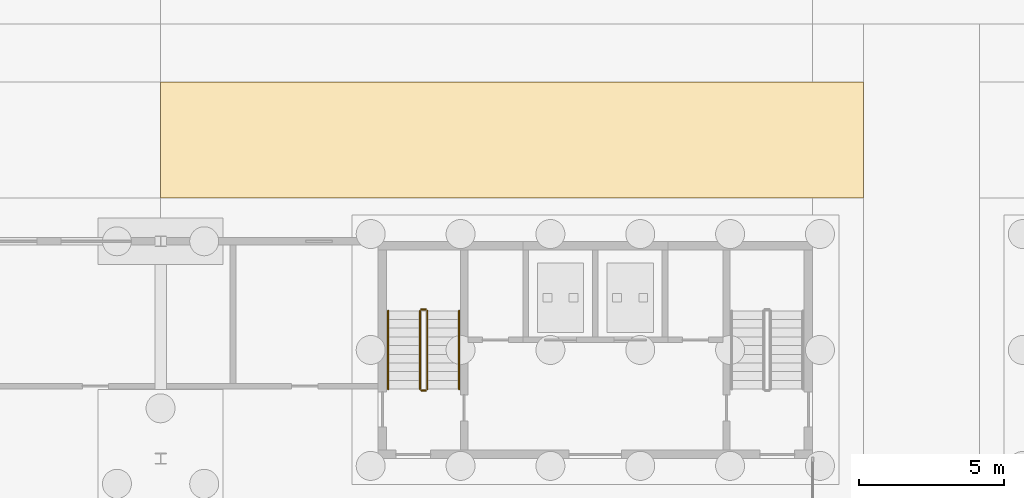
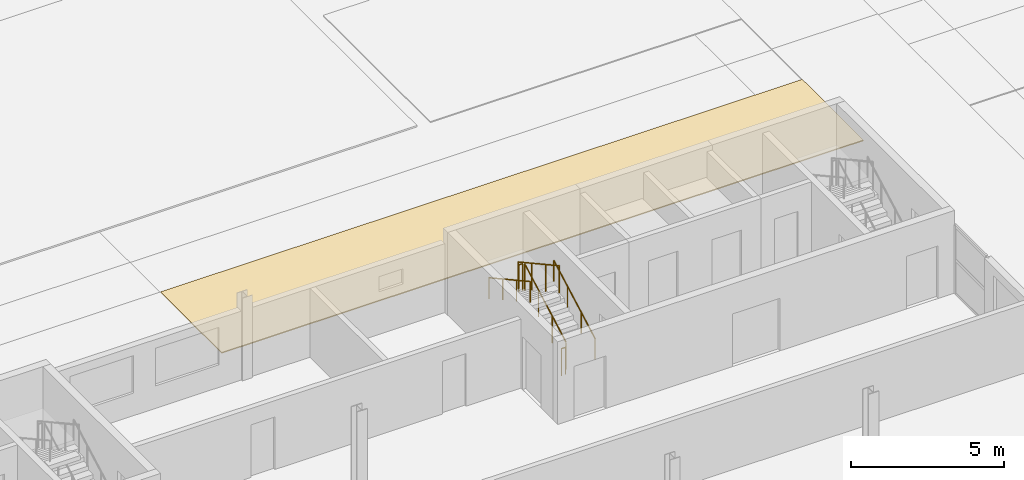
# One storey, part 110 of 130: 6 railings, 1 covering.
"""IFC4 building model written with IfcOpenShell, lengths in metres."""

import ifcopenshell
import ifcopenshell.guid

model = None  # the IFC model being written
_history = None  # IfcOwnerHistory: only IFC2X3 demands one
_inside = {}  # id of a spatial element -> (the spatial element, [elements in it])
_under = {}  # id of a project, library or spatial element -> (it, [spatial elements below it])
_declared = {}  # id of a project -> (the project, [libraries it declares])
_typed = {}  # id of a type object -> (the type object, [elements of that type])
_made_of = {}  # id of a material, layer set ... -> (it, [elements and type objects made of it])


def new_model(schema):
    """Start an empty IFC model of exactly this schema.

    Asked for "IFC4X3", IfcOpenShell would pick the latest addendum, in which some entities
    have other attributes; the version numbers below select the first issue.
    IFC2X3 requires an IfcOwnerHistory on every rooted entity: one is made here for all.
    """
    global model, _history
    if schema == "IFC4X3":
        model = ifcopenshell.file(schema_version=(4, 3, 0, 0))
    else:
        model = ifcopenshell.file(schema=schema)
    _inside.clear()
    _under.clear()
    _declared.clear()
    _typed.clear()
    _made_of.clear()
    _history = None
    if model.schema == "IFC2X3":
        org = make("IfcOrganization", Name="unknown")
        user = make(
            "IfcPersonAndOrganization",
            ThePerson=make("IfcPerson", FamilyName="unknown"),
            TheOrganization=org,
        )
        app = make(
            "IfcApplication",
            ApplicationDeveloper=org,
            Version="unknown",
            ApplicationFullName="unknown",
            ApplicationIdentifier="unknown",
        )
        _history = make(
            "IfcOwnerHistory",
            OwningUser=user,
            OwningApplication=app,
            ChangeAction="ADDED",
            CreationDate=0,
        )
    return model


def make(cls, **values):
    """One entity of the class cls with the attributes given. An attribute that is None is left unset."""
    return model.create_entity(
        cls, **{name: value for name, value in values.items() if value is not None}
    )


def rooted(cls, **values):
    """An entity with a GlobalId (a new one), such as an element, a storey or a relation."""
    return make(cls, GlobalId=ifcopenshell.guid.new(), OwnerHistory=_history, **values)


def si_unit(unit_type, name, prefix=None):
    """IfcSIUnit, for example si_unit("LENGTHUNIT", "METRE", prefix="MILLI")."""
    return make("IfcSIUnit", UnitType=unit_type, Prefix=prefix, Name=name)


def assignment(units):
    """IfcUnitAssignment: the units of a project."""
    return None if units is None else make("IfcUnitAssignment", Units=units)


def point(xyz):
    """IfcCartesianPoint."""
    return None if xyz is None else make("IfcCartesianPoint", Coordinates=xyz)


def direction(xyz):
    """IfcDirection."""
    return None if xyz is None else make("IfcDirection", DirectionRatios=xyz)


def frame(location, z_axis=None, x_axis=None):
    """IfcAxis2Placement3D, a coordinate frame: its origin and axes. An axis left out is left unset."""
    return make(
        "IfcAxis2Placement3D",
        Location=point(location),
        Axis=direction(z_axis),
        RefDirection=direction(x_axis),
    )


def frame_2d(location, x_axis=None):
    """IfcAxis2Placement2D, a coordinate frame in the plane: its origin and x axis."""
    return make(
        "IfcAxis2Placement2D", Location=point(location), RefDirection=direction(x_axis)
    )


def origin():
    """The frame at (0, 0, 0) with its axes left unset."""
    return frame((0.0, 0.0, 0.0))


def origin_2d():
    """The frame at (0, 0) in the plane with its x axis left unset."""
    return frame_2d((0.0, 0.0))


def place(relative_to, where):
    """IfcLocalPlacement: puts the frame where relative to a parent placement (None: the world)."""
    return make(
        "IfcLocalPlacement", PlacementRelTo=relative_to, RelativePlacement=where
    )


def context(
    kind, dimensions, precision=None, world=None, true_north=None, identifier=None
):
    """IfcGeometricRepresentationContext, for example the 3D "Model" context."""
    return make(
        "IfcGeometricRepresentationContext",
        ContextIdentifier=identifier,
        ContextType=kind,
        CoordinateSpaceDimension=dimensions,
        Precision=precision,
        WorldCoordinateSystem=world,
        TrueNorth=true_north,
    )


def subcontext(parent, identifier, kind, view, scale=None):
    """IfcGeometricRepresentationSubContext, for example "Body" below "Model"."""
    return make(
        "IfcGeometricRepresentationSubContext",
        ContextIdentifier=identifier,
        ContextType=kind,
        ParentContext=parent,
        TargetScale=scale,
        TargetView=view,
    )


def project(units=None, contexts=None):
    """IfcProject with its units and contexts."""
    return rooted(
        "IfcProject",
        Name="project",
        RepresentationContexts=contexts,
        UnitsInContext=assignment(units),
    )


def spatial(cls, under=None, at=None, **own):
    """A site, building, storey or space (cls), placed at a placement, below another one or the project."""
    s = rooted(cls, ObjectPlacement=at, **own)
    if under is not None:
        _under.setdefault(under.id(), (under, []))[1].append(s)
    return s


def polyline(points):
    """IfcPolyline through the points."""
    return make("IfcPolyline", Points=[point(p) for p in points])


def profile(cls, at=None, kind="AREA", **sizes):
    """A parametric profile (cls). Its sizes go by their IFC names, for example OverallWidth=200.0."""
    return make(cls, ProfileType=kind, Position=at, **sizes)


def circle(**sizes):
    """IfcCircleProfileDef."""
    return profile("IfcCircleProfileDef", **sizes)


def outline(outer, holes=None, kind="AREA"):
    """IfcArbitraryClosedProfileDef: a profile drawn as a closed curve; with holes, ...WithVoids."""
    if holes is None:
        return make("IfcArbitraryClosedProfileDef", ProfileType=kind, OuterCurve=outer)
    return make(
        "IfcArbitraryProfileDefWithVoids",
        ProfileType=kind,
        OuterCurve=outer,
        InnerCurves=holes,
    )


def extrude(swept, where, along, depth):
    """IfcExtrudedAreaSolid: the profile swept, set in the frame where, extruded along a direction by depth."""
    return make(
        "IfcExtrudedAreaSolid",
        SweptArea=swept,
        Position=where,
        ExtrudedDirection=direction(along),
        Depth=depth,
    )


def shape(context_of_items, identifier, shape_type, items):
    """IfcShapeRepresentation: the items that make up one representation, for example the "Body"."""
    return make(
        "IfcShapeRepresentation",
        ContextOfItems=context_of_items,
        RepresentationIdentifier=identifier,
        RepresentationType=shape_type,
        Items=items,
    )


def material(Name=None, Category=None):
    """IfcMaterial."""
    return make("IfcMaterial", Name=Name, Category=Category)


def layer(
    of_material, thickness, ventilated=None, Name=None, Category=None, Priority=None
):
    """IfcMaterialLayer: one layer of a wall or slab, of a material (None: an air gap)."""
    return make(
        "IfcMaterialLayer",
        Material=of_material,
        LayerThickness=thickness,
        IsVentilated=ventilated,
        Name=Name,
        Category=Category,
        Priority=Priority,
    )


def layer_set(layers, Name=None):
    """IfcMaterialLayerSet."""
    return make("IfcMaterialLayerSet", MaterialLayers=layers, LayerSetName=Name)


def made_of(thing, what):
    """Note that an element or type object is made of a material, layer set ...; save() writes the relation."""
    if what is not None:
        _made_of.setdefault(what.id(), (what, []))[1].append(thing)
    return thing


def type_object(cls, material=None, **own):
    """A type object (cls), such as IfcWallType, which elements share."""
    return made_of(rooted(cls, **own), material)


def element(
    cls,
    number,
    at=None,
    inside=None,
    cuts=None,
    type_object=None,
    material=None,
    context=None,
    identifier="Body",
    shape_type=None,
    held_by="IfcProductDefinitionShape",
    body=None,
    shapes=None,
    **own,
):
    """One element of the class cls, such as IfcWall. Its Tag is "e" and its number.

    at: its placement. inside: the storey or other place that contains it. cuts: it is an
    opening in that element (IfcRelVoidsElement). A single representation is given by context,
    identifier, shape_type and body (its items); several are given by shapes. held_by: the class
    of the entity that holds the representations. save() writes the other relations.
    """
    e = rooted(cls, Tag="e%d" % number, ObjectPlacement=at, **own)
    if body is not None:
        shapes = [shape(context, identifier, shape_type, body)]
    if shapes is not None:
        e.Representation = make(held_by, Representations=shapes)
    if inside is not None:
        _inside.setdefault(inside.id(), (inside, []))[1].append(e)
    if cuts is not None:
        rooted(
            "IfcRelVoidsElement", RelatingBuildingElement=cuts, RelatedOpeningElement=e
        )
    if type_object is not None:
        _typed.setdefault(type_object.id(), (type_object, []))[1].append(e)
    return made_of(e, material)


def aggregate(whole, parts):
    """IfcRelAggregates: a whole, such as a stair, and the parts it consists of."""
    return rooted("IfcRelAggregates", RelatingObject=whole, RelatedObjects=parts)


def save(model, path):
    """Write the relations noted so far, then the file.

    IfcRelAggregates (storeys below a building ...), IfcRelContainedInSpatialStructure (elements
    in a storey), IfcRelDefinesByType, IfcRelAssociatesMaterial and IfcRelDeclares: one each for
    every whole, place, type object, material and project.
    """
    for whole, parts in _under.values():
        aggregate(whole, parts)
    for where, things in _inside.values():
        rooted(
            "IfcRelContainedInSpatialStructure",
            RelatedElements=things,
            RelatingStructure=where,
        )
    for kind, things in _typed.values():
        rooted("IfcRelDefinesByType", RelatedObjects=things, RelatingType=kind)
    for what, things in _made_of.values():
        rooted("IfcRelAssociatesMaterial", RelatedObjects=things, RelatingMaterial=what)
    for by, libraries in _declared.values():
        rooted("IfcRelDeclares", RelatingContext=by, RelatedDefinitions=libraries)
    model.write(path)


model = new_model("IFC4")

# Units and contexts
model_context = context("Model", 3, precision=1e-05, world=origin(), true_north=direction((0.0, 1.0)))
body_context = subcontext(model_context, "Body", "Model", "MODEL_VIEW")
ifc_project = project(units=[si_unit("LENGTHUNIT", "METRE"), si_unit("AREAUNIT", "SQUARE_METRE"), si_unit("VOLUMEUNIT", "CUBIC_METRE"), si_unit("PLANEANGLEUNIT", "RADIAN"), si_unit("MASSUNIT", "GRAM", prefix="KILO")], contexts=[model_context])

# Site, building, storey
site_placement = place(None, origin())
site = spatial("IfcSite", under=ifc_project, at=site_placement, CompositionType="ELEMENT")
building_placement = place(site_placement, origin())
building = spatial("IfcBuilding", under=site, at=building_placement, Name="Parallax Yard Mobility Hub", CompositionType="ELEMENT")
storey_placement = place(building_placement, origin())
storey = spatial("IfcBuildingStorey", under=building, at=storey_placement, Name="L00", CompositionType="ELEMENT", Elevation=0.0)

# Covering
ifc_material_1 = material(Name="Concrete fc' 30 MPa", Category="concrete")
ifc_layer = layer(ifc_material_1, 0.0400390625)
ifc_layer_set = layer_set([ifc_layer], Name="Footway paving, Concrete fc' 30 MPa pavers 40")
covering_type = type_object("IfcCoveringType", Name="Footway paving, Concrete fc' 30 MPa pavers 40", PredefinedType="USERDEFINED", material=ifc_layer_set)
covering_placement = place(storey_placement, origin())
element("IfcCovering", 1, at=covering_placement, inside=storey, type_object=covering_type, Name="Yard footway south surfacing 5", ObjectType="PAVING", PredefinedType="USERDEFINED", context=body_context, shape_type="SweptSolid", body=[
    extrude(outline(polyline([(144.25, 58.0), (144.25, 54.0), (120.0, 54.0), (120.0, 58.0), (144.25, 58.0)])), origin(), (0.0, 0.0, 1.0), 0.0400390625),
])

# Railings
ifc_material_2 = material(Name="Steel ASTM A36", Category="steel")
railing_type_1 = type_object("IfcRailingType", Name="Stair guard 1100", PredefinedType="GUARDRAIL", material=ifc_material_2)
railing_1_placement = place(storey_placement, frame((129.199951171875, 47.39990234375, 0.1650390625)))
element("IfcRailing", 2, at=railing_1_placement, inside=storey, type_object=railing_type_1, Name="L00 ST13 stair guard 1", PredefinedType="GUARDRAIL", context=body_context, shape_type="SweptSolid", body=[
    extrude(circle(Radius=0.02392578125, at=origin_2d()), frame((0.0, 0.0, 1.076171875), z_axis=(0.0, 0.876249361297, 0.481857921827), x_axis=(-1.0, 0.0, 0.0)), (0.0, 0.0, 1.0), 3.08154296875),
    extrude(circle(Radius=0.02099609375, at=origin_2d()), origin(), (0.0, 0.0, 1.0), 1.052001953125),
    extrude(circle(Radius=0.02099609375, at=origin_2d()), frame((0.0, 0.900146484375, 0.494873046875)), (0.0, 0.0, 1.0), 1.052001953125),
    extrude(circle(Radius=0.02099609375, at=origin_2d()), frame((0.0, 1.800048828125, 0.989990234375)), (0.0, 0.0, 1.0), 1.052001953125),
    extrude(circle(Radius=0.02099609375, at=origin_2d()), frame((0.0, 2.7001953125, 1.48486328125)), (0.0, 0.0, 1.0), 1.052001953125),
])
railing_2_placement = place(storey_placement, frame((129.14990234375, 50.14990234375, 1.64990234375)))
element("IfcRailing", 3, at=railing_2_placement, inside=storey, type_object=railing_type_1, Name="L00 ST13 stair guard 2", PredefinedType="GUARDRAIL", context=body_context, shape_type="SweptSolid", body=[
    extrude(circle(Radius=0.02392578125, at=origin_2d()), frame((0.0, 0.0, 1.076171875), z_axis=(-1.0, 0.0, 0.0), x_axis=(0.0, -1.0, 0.0)), (0.0, 0.0, 1.0), 0.14990234375),
    extrude(circle(Radius=0.02099609375, at=origin_2d()), origin(), (0.0, 0.0, 1.0), 1.052001953125),
    extrude(circle(Radius=0.02099609375, at=origin_2d()), frame((-0.14990234375, 0.0, 0.0)), (0.0, 0.0, 1.0), 1.052001953125),
])
railing_3_placement = place(storey_placement, frame((128.949951171875, 50.10009765625, 1.81494140625)))
element("IfcRailing", 4, at=railing_3_placement, inside=storey, type_object=railing_type_1, Name="L00 ST13 stair guard 3", PredefinedType="GUARDRAIL", context=body_context, shape_type="SweptSolid", body=[
    extrude(circle(Radius=0.02392578125, at=origin_2d()), frame((0.0, 0.0, 1.076171875), z_axis=(0.0, -0.876215908677, 0.481918749772), x_axis=(1.0, 0.0, 0.0)), (0.0, 0.0, 1.0), 3.08154296875),
    extrude(circle(Radius=0.02099609375, at=origin_2d()), origin(), (0.0, 0.0, 1.0), 1.052001953125),
    extrude(circle(Radius=0.02099609375, at=origin_2d()), frame((0.0, -0.900146484375, 0.4951171875)), (0.0, 0.0, 1.0), 1.052001953125),
    extrude(circle(Radius=0.02099609375, at=origin_2d()), frame((0.0, -1.800048828125, 0.989990234375)), (0.0, 0.0, 1.0), 1.052001953125),
    extrude(circle(Radius=0.02099609375, at=origin_2d()), frame((0.0, -2.7001953125, 1.485107421875)), (0.0, 0.0, 1.0), 1.052001953125),
])
railing_4_placement = place(storey_placement, frame((129.14990234375, 47.35009765625, 0.0)))
element("IfcRailing", 5, at=railing_4_placement, inside=storey, type_object=railing_type_1, Name="L00 ST13 stair guard 4", PredefinedType="GUARDRAIL", context=body_context, shape_type="SweptSolid", body=[
    extrude(circle(Radius=0.02392578125, at=origin_2d()), frame((0.0, 0.0, 1.076171875), z_axis=(-1.0, 0.0, 0.0), x_axis=(0.0, -1.0, 0.0)), (0.0, 0.0, 1.0), 0.14990234375),
    extrude(circle(Radius=0.02099609375, at=origin_2d()), origin(), (0.0, 0.0, 1.0), 1.052001953125),
    extrude(circle(Radius=0.02099609375, at=origin_2d()), frame((-0.14990234375, 0.0, 0.0)), (0.0, 0.0, 1.0), 1.052001953125),
])
railing_type_2 = type_object("IfcRailingType", Name="Stair handrail", PredefinedType="HANDRAIL", material=ifc_material_2)
railing_5_placement = place(storey_placement, frame((130.300048828125, 47.39990234375, 0.1650390625)))
element("IfcRailing", 6, at=railing_5_placement, inside=storey, type_object=railing_type_2, Name="L00 ST13 stair handrail 1", PredefinedType="HANDRAIL", context=body_context, shape_type="SweptSolid", body=[
    extrude(circle(Radius=0.02392578125, at=origin_2d()), frame((0.0, 0.0, 0.8310546875), z_axis=(0.0, 0.876249361297, 0.481857921827), x_axis=(-1.0, 0.0, 0.0)), (0.0, 0.0, 1.0), 3.08154296875),
    extrude(circle(Radius=0.02099609375, at=origin_2d()), origin(), (0.0, 0.0, 1.0), 0.806884765625),
    extrude(circle(Radius=0.02099609375, at=origin_2d()), frame((0.0, 0.900146484375, 0.494873046875)), (0.0, 0.0, 1.0), 0.806884765625),
    extrude(circle(Radius=0.02099609375, at=origin_2d()), frame((0.0, 1.800048828125, 0.989990234375)), (0.0, 0.0, 1.0), 0.806884765625),
    extrude(circle(Radius=0.02099609375, at=origin_2d()), frame((0.0, 2.7001953125, 1.48486328125)), (0.0, 0.0, 1.0), 0.806884765625),
])
railing_6_placement = place(storey_placement, frame((127.85009765625, 50.10009765625, 1.81494140625)))
element("IfcRailing", 7, at=railing_6_placement, inside=storey, type_object=railing_type_2, Name="L00 ST13 stair handrail 2", PredefinedType="HANDRAIL", context=body_context, shape_type="SweptSolid", body=[
    extrude(circle(Radius=0.02392578125, at=origin_2d()), frame((0.0, 0.0, 0.8310546875), z_axis=(0.0, -0.876215908677, 0.481918749772), x_axis=(1.0, 0.0, 0.0)), (0.0, 0.0, 1.0), 3.08154296875),
    extrude(circle(Radius=0.02099609375, at=origin_2d()), origin(), (0.0, 0.0, 1.0), 0.806884765625),
    extrude(circle(Radius=0.02099609375, at=origin_2d()), frame((0.0, -0.900146484375, 0.4951171875)), (0.0, 0.0, 1.0), 0.806884765625),
    extrude(circle(Radius=0.02099609375, at=origin_2d()), frame((0.0, -1.800048828125, 0.989990234375)), (0.0, 0.0, 1.0), 0.806884765625),
    extrude(circle(Radius=0.02099609375, at=origin_2d()), frame((0.0, -2.7001953125, 1.485107421875)), (0.0, 0.0, 1.0), 0.806884765625),
])

save(model, "model.ifc")
